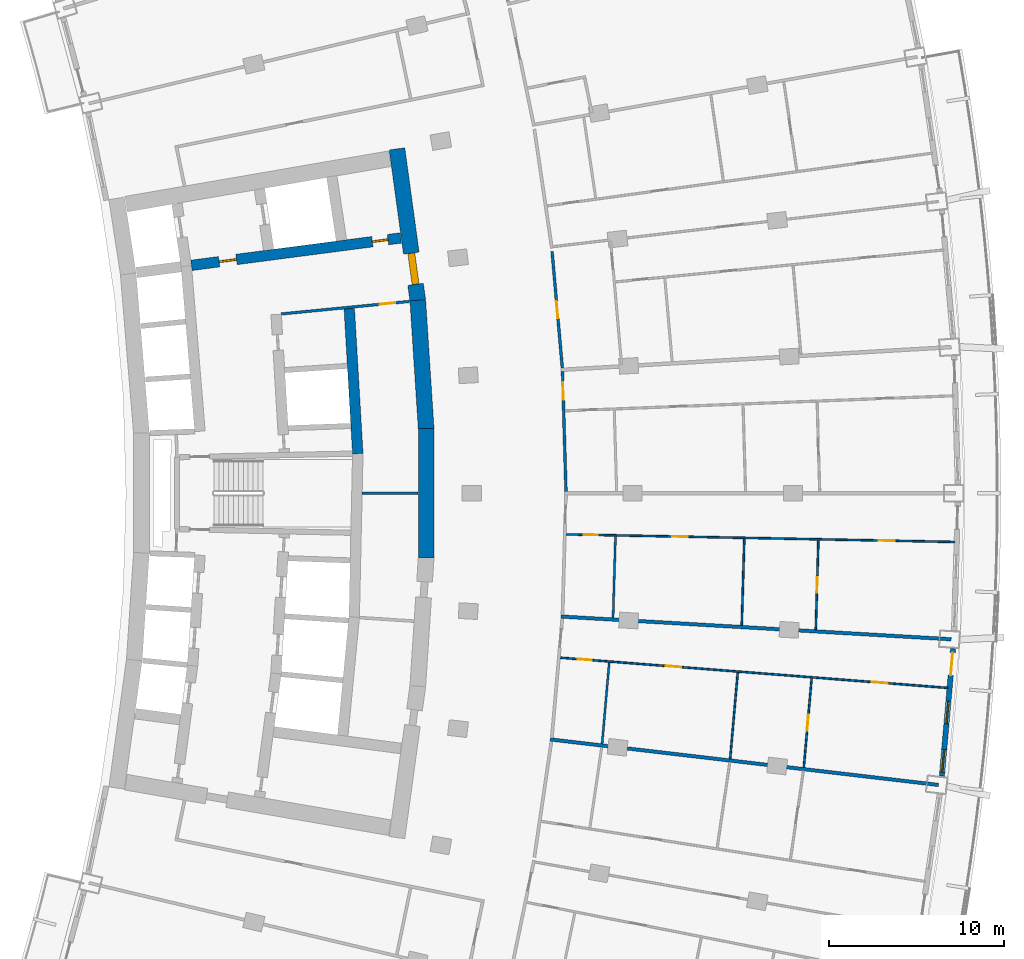
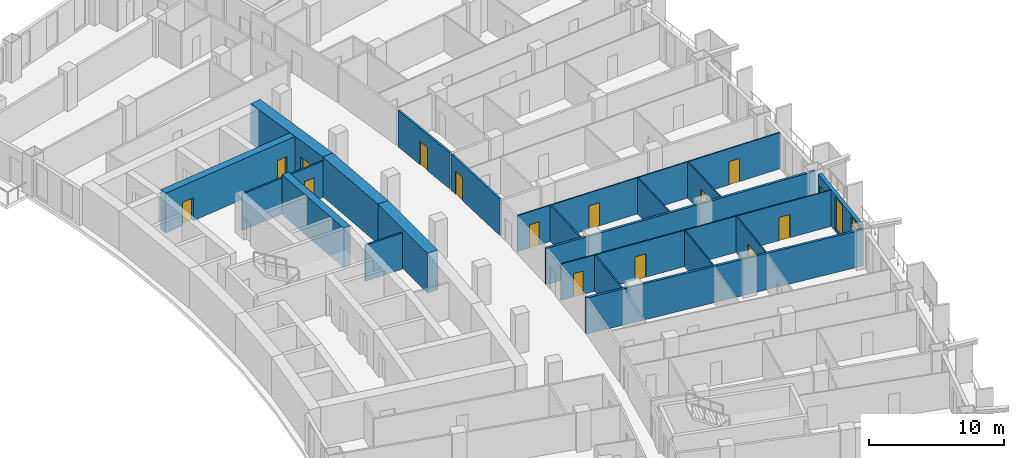
# One storey, part 17 of 25: 20 walls, 15 doors, 2 windows, 17 openings.
"""IFC4 building model written with IfcOpenShell, lengths in metres."""

from ifc_helpers import new_model, si_unit, direction, frame, frame_2d, origin, place, context, subcontext, project, spatial, rectangle, extrude, material, layer, layer_set, type_object, element, fill, save


model = new_model("IFC4")

# Units and contexts
model_context = context("Model", 3, precision=1e-05, world=origin(), true_north=direction((0.0, 1.0)))
body_context = subcontext(model_context, "Body", "Model", "MODEL_VIEW")
ifc_project = project(units=[si_unit("LENGTHUNIT", "METRE"), si_unit("AREAUNIT", "SQUARE_METRE"), si_unit("VOLUMEUNIT", "CUBIC_METRE"), si_unit("PLANEANGLEUNIT", "RADIAN"), si_unit("MASSUNIT", "GRAM", prefix="KILO")], contexts=[model_context])

# Site, building, storey
site_placement = place(None, origin())
site = spatial("IfcSite", under=ifc_project, at=site_placement, CompositionType="ELEMENT")
building_placement = place(site_placement, origin())
building = spatial("IfcBuilding", under=site, at=building_placement, Name="Alderwake Tower", CompositionType="ELEMENT")
storey_placement = place(building_placement, frame((0.0, 0.0, 35.60009765625)))
storey = spatial("IfcBuildingStorey", under=building, at=storey_placement, Name="L07", CompositionType="ELEMENT", Elevation=35.60009765625)

# Wall
ifc_material_1 = material(Name="Gypsum shaft wall system, rated")
ifc_layer_1 = layer(ifc_material_1, 0.14990234375)
ifc_layer_set_1 = layer_set([ifc_layer_1], Name="Core room partition 150")
wall_type_1 = type_object("IfcWallType", Name="Core room partition 150", PredefinedType="PARTITIONING", material=ifc_layer_set_1)
wall_1_placement = place(storey_placement, frame((29.526123046875, 61.0, 0.0), z_axis=(0.0, 0.0, 1.0), x_axis=(1.0, 0.0, 0.0)))
element("IfcWall", 1, at=wall_1_placement, inside=storey, type_object=wall_type_1, Name="CW/L07/PR+0_+128", PredefinedType="PARTITIONING", context=body_context, shape_type="SweptSolid", body=[
    extrude(rectangle(XDim=3.18408203125, YDim=0.14990234375, at=frame_2d((1.592041015625, 0.0))), origin(), (0.0, 0.0, 1.0), 3.27978515625),
])

# Wall, opening, door
wall_2_placement = place(storey_placement, frame((32.233642578125, 71.982177734375, 0.0), z_axis=(0.0, 0.0, 1.0), x_axis=(-0.995245540971, -0.097397706226, 0.0)))
wall_2 = element("IfcWall", 2, at=wall_2_placement, inside=storey, type_object=wall_type_1, Name="CW/L07/PR+102_+86", PredefinedType="PARTITIONING", context=body_context, shape_type="SweptSolid", body=[
    extrude(rectangle(XDim=7.36962890625, YDim=0.14990234375, at=frame_2d((3.684814453125, 0.0))), origin(), (0.0, 0.0, 1.0), 3.27978515625),
])
opening_1_placement = place(wall_2_placement, frame((0.819580078125, 0.0, 0.0)))
opening_1 = element("IfcOpeningElement", 3, at=opening_1_placement, cuts=wall_2, Name="Opening C032", PredefinedType="OPENING", context=body_context, shape_type="SweptSolid", body=[
    extrude(rectangle(XDim=0.89990234375, YDim=2.10009765625, at=frame_2d((0.449951171875, 1.050048828125))), frame((0.0, 0.0849609375, 0.0), z_axis=(0.0, -1.0, 0.0), x_axis=(1.0, 0.0, 0.0)), (0.0, 0.0, 1.0), 0.169921875),
])
ifc_material_2 = material(Name="Painted steel leaf", Category="steel")
door_type_1 = type_object("IfcDoorType", Name="Core room door 900", OperationType="SINGLE_SWING_LEFT", PredefinedType="DOOR", material=ifc_material_2)
door_1_placement = place(opening_1_placement, origin())
door_1 = element("IfcDoor", 4, at=door_1_placement, inside=storey, type_object=door_type_1, Name="Room door", OperationType="SINGLE_SWING_RIGHT", OverallHeight=2.10009765625, OverallWidth=0.89990234375, PredefinedType="DOOR", context=body_context, shape_type="SweptSolid", body=[
    extrude(rectangle(XDim=0.89990234375, YDim=2.10009765625, at=frame_2d((0.449951171875, 1.050048828125))), frame((0.0, 0.02490234375, 0.0), z_axis=(0.0, -1.0, 0.0), x_axis=(1.0, 0.0, 0.0)), (0.0, 0.0, 1.0), 0.050048828125),
])
fill(opening_1, door_1)

# Walls
ifc_material_3 = material(Name="Concrete C70/85", Category="concrete")
ifc_layer_2 = layer(ifc_material_3, 0.89990234375)
ifc_layer_set_2 = layer_set([ifc_layer_2], Name="Core wall outer 900 C70-85")
wall_type_2 = type_object("IfcWallType", Name="Core wall outer 900 C70-85", PredefinedType="SHEAR", material=ifc_layer_set_2)
wall_3_placement = place(storey_placement, frame((33.190185546875, 57.30322265625, 0.0), z_axis=(0.0, 0.0, 1.0), x_axis=(0.0, 1.0, 0.0)))
element("IfcWall", 5, at=wall_3_placement, inside=storey, type_object=wall_type_2, Name="Core wall CW.013", PredefinedType="SHEAR", context=body_context, shape_type="SweptSolid", body=[
    extrude(rectangle(XDim=7.3935546875, YDim=0.89990234375, at=frame_2d((3.69677734375, 0.0))), origin(), (0.0, 0.0, 1.0), 3.599853515625),
])
wall_4_placement = place(storey_placement, frame((33.191162109375, 64.66650390625, 0.0), z_axis=(0.0, 0.0, 1.0), x_axis=(-0.064976219143, 0.997886812693, 0.0)))
element("IfcWall", 6, at=wall_4_placement, inside=storey, type_object=wall_type_2, Name="Core wall CW.010", PredefinedType="SHEAR", context=body_context, shape_type="SweptSolid", body=[
    extrude(rectangle(XDim=7.39453125, YDim=0.89990234375, at=frame_2d((3.697265625, 0.0))), origin(), (0.0, 0.0, 1.0), 3.599853515625),
])

# Wall, opening, door
wall_5_placement = place(storey_placement, frame((31.520263671875, 80.7177734375, 0.0), z_axis=(0.0, 0.0, 1.0), x_axis=(0.135844728876, -0.990730139663, 0.0)))
wall_5 = element("IfcWall", 7, at=wall_5_placement, inside=storey, type_object=wall_type_2, Name="Core wall CW.009", PredefinedType="SHEAR", context=body_context, shape_type="SweptSolid", body=[
    extrude(rectangle(XDim=8.78662109375, YDim=0.89990234375, at=frame_2d((4.393310546875, 0.0))), origin(), (0.0, 0.0, 1.0), 3.599853515625),
])
opening_2_placement = place(wall_5_placement, frame((6.02978515625, 0.0, 0.0)))
opening_2 = element("IfcOpeningElement", 8, at=opening_2_placement, cuts=wall_5, Name="Opening C001", PredefinedType="OPENING", context=body_context, shape_type="SweptSolid", body=[
    extrude(rectangle(XDim=1.800048828125, YDim=2.10009765625, at=frame_2d((0.89990234375, 1.050048828125))), frame((0.0, 0.4599609375, 0.0), z_axis=(0.0, -1.0, 0.0), x_axis=(1.0, 0.0, 0.0)), (0.0, 0.0, 1.0), 0.919921875),
])
ifc_material_4 = material(Name="Steel-framed fire door leaves", Category="steel")
door_type_2 = type_object("IfcDoorType", Name="Core double door 1800 fire-rated", OperationType="DOUBLE_DOOR_SINGLE_SWING", PredefinedType="DOOR", material=ifc_material_4)
door_2_placement = place(opening_2_placement, origin())
door_2 = element("IfcDoor", 9, at=door_2_placement, inside=storey, type_object=door_type_2, Name="Lobby double door", OperationType="DOUBLE_DOOR_SINGLE_SWING", OverallHeight=2.10009765625, OverallWidth=1.800048828125, PredefinedType="DOOR", context=body_context, shape_type="SweptSolid", body=[
    extrude(rectangle(XDim=1.800048828125, YDim=2.10009765625, at=frame_2d((0.89990234375, 1.050048828125))), frame((0.0, 0.199951171875, 0.0), z_axis=(0.0, -1.0, 0.0), x_axis=(1.0, 0.0, 0.0)), (0.0, 0.0, 1.0), 0.39990234375),
])
fill(opening_2, door_2)

# Wall
ifc_material_5 = material(Name="Concrete C70/85", Category="concrete")
ifc_layer_3 = layer(ifc_material_5, 0.60009765625)
ifc_layer_set_3 = layer_set([ifc_layer_3], Name="Core wall spine 600 C70-85")
wall_type_3 = type_object("IfcWallType", Name="Core wall spine 600 C70-85", PredefinedType="SHEAR", material=ifc_layer_set_3)
wall_6_placement = place(storey_placement, frame((29.277099609375, 63.260498046875, 0.0), z_axis=(0.0, 0.0, 1.0), x_axis=(-0.058809712878, 0.99826921102, 0.0)))
element("IfcWall", 10, at=wall_6_placement, inside=storey, type_object=wall_type_3, Name="Core wall CW.002", PredefinedType="SHEAR", context=body_context, shape_type="SweptSolid", body=[
    extrude(rectangle(XDim=8.323486328125, YDim=0.60009765625, at=frame_2d((4.16162109375, 0.0))), origin(), (0.0, 0.0, 1.0), 3.599853515625),
])

# Wall, openings, doors
wall_7_placement = place(storey_placement, frame((31.735595703125, 75.6142578125, 0.0), z_axis=(0.0, 0.0, 1.0), x_axis=(-0.991553829991, -0.129695806526, 0.0)))
wall_7 = element("IfcWall", 11, at=wall_7_placement, inside=storey, type_object=wall_type_3, Name="Core wall CW.052", PredefinedType="SHEAR", context=body_context, shape_type="SweptSolid", body=[
    extrude(rectangle(XDim=12.0869140625, YDim=0.60009765625, at=frame_2d((6.04345703125, 0.0))), origin(), (0.0, 0.0, 1.0), 3.599853515625),
])
opening_3_placement = place(wall_7_placement, frame((9.4873046875, 0.0, 0.0)))
opening_3 = element("IfcOpeningElement", 12, at=opening_3_placement, cuts=wall_7, Name="Opening C002", PredefinedType="OPENING", context=body_context, shape_type="SweptSolid", body=[
    extrude(rectangle(XDim=1.0, YDim=2.10009765625, at=frame_2d((0.5, 1.050048828125))), frame((0.0, 0.31005859375, 0.0), z_axis=(0.0, -1.0, 0.0), x_axis=(1.0, 0.0, 0.0)), (0.0, 0.0, 1.0), 0.6201171875),
])
opening_4_placement = place(wall_7_placement, frame((0.7373046875, 0.0, 0.0)))
opening_4 = element("IfcOpeningElement", 13, at=opening_4_placement, cuts=wall_7, Name="Opening C020", PredefinedType="OPENING", context=body_context, shape_type="SweptSolid", body=[
    extrude(rectangle(XDim=0.89990234375, YDim=2.10009765625, at=frame_2d((0.449951171875, 1.050048828125))), frame((0.0, 0.31005859375, 0.0), z_axis=(0.0, -1.0, 0.0), x_axis=(1.0, 0.0, 0.0)), (0.0, 0.0, 1.0), 0.6201171875),
])
door_3_placement = place(opening_4_placement, origin())
door_3 = element("IfcDoor", 14, at=door_3_placement, inside=storey, type_object=door_type_1, Name="Room door", OperationType="SINGLE_SWING_LEFT", OverallHeight=2.10009765625, OverallWidth=0.89990234375, PredefinedType="DOOR", context=body_context, shape_type="SweptSolid", body=[
    extrude(rectangle(XDim=0.89990234375, YDim=2.10009765625, at=frame_2d((0.449951171875, 1.050048828125))), frame((0.0, 0.050048828125, 0.0), z_axis=(0.0, -1.0, 0.0), x_axis=(1.0, 0.0, 0.0)), (0.0, 0.0, 1.0), 0.10009765625),
])
fill(opening_4, door_3)
ifc_material_6 = material(Name="Steel-framed fire door leaf", Category="steel")
door_type_3 = type_object("IfcDoorType", Name="Firefighting lobby door 1000 fire-rated", OperationType="SINGLE_SWING_LEFT", PredefinedType="DOOR", material=ifc_material_6)
door_4_placement = place(opening_3_placement, origin())
door_4 = element("IfcDoor", 15, at=door_4_placement, inside=storey, type_object=door_type_3, Name="Firefighting lobby door", OperationType="SINGLE_SWING_RIGHT", OverallHeight=2.10009765625, OverallWidth=1.0, PredefinedType="DOOR", context=body_context, shape_type="SweptSolid", body=[
    extrude(rectangle(XDim=1.0, YDim=2.10009765625, at=frame_2d((0.5, 1.050048828125))), frame((0.0, 0.050048828125, 0.0), z_axis=(0.0, -1.0, 0.0), x_axis=(1.0, 0.0, 0.0)), (0.0, 0.0, 1.0), 0.10009765625),
])
fill(opening_3, door_4)

# Wall, opening, door
ifc_material_7 = material(Name="Gypsum board on metal studs, rated")
ifc_layer_4 = layer(ifc_material_7, 0.159912109375)
ifc_layer_set_4 = layer_set([ifc_layer_4], Name="Corridor wall 160")
wall_type_4 = type_object("IfcWallType", Name="Corridor wall 160", PredefinedType="PARTITIONING", material=ifc_layer_set_4)
wall_8_placement = place(storey_placement, frame((40.400390625, 74.84228515625, 0.0), z_axis=(0.0, 0.0, 1.0), x_axis=(0.087437661692, -0.996169993183, 0.0)))
wall_8 = element("IfcWall", 16, at=wall_8_placement, inside=storey, type_object=wall_type_4, Name="WL/L07/W40", PredefinedType="PARTITIONING", context=body_context, shape_type="SweptSolid", body=[
    extrude(rectangle(XDim=6.701171875, YDim=0.159912109375, at=frame_2d((3.3505859375, 0.0))), origin(), (0.0, 0.0, 1.0), 3.27978515625),
])
opening_5_placement = place(wall_8_placement, frame((2.8505859375, 0.0, 0.0)))
opening_5 = element("IfcOpeningElement", 17, at=opening_5_placement, cuts=wall_8, Name="Opening R01-U09.2", PredefinedType="OPENING", context=body_context, shape_type="SweptSolid", body=[
    extrude(rectangle(XDim=1.0, YDim=2.10009765625, at=frame_2d((0.5, 1.050048828125))), frame((0.0, 0.08984375, 0.0), z_axis=(0.0, -1.0, 0.0), x_axis=(1.0, 0.0, 0.0)), (0.0, 0.0, 1.0), 0.179931640625),
])
ifc_material_8 = material(Name="Solid timber leaf in steel frame", Category="steel")
door_type_4 = type_object("IfcDoorType", Name="Flat entrance door 1000 fire-rated", OperationType="SINGLE_SWING_LEFT", PredefinedType="DOOR", material=ifc_material_8)
door_5_placement = place(opening_5_placement, origin())
door_5 = element("IfcDoor", 18, at=door_5_placement, inside=storey, type_object=door_type_4, Name="DR/L07/U09.2", OperationType="SINGLE_SWING_LEFT", OverallHeight=2.10009765625, OverallWidth=1.0, PredefinedType="DOOR", context=body_context, shape_type="SweptSolid", body=[
    extrude(rectangle(XDim=1.0, YDim=2.10009765625, at=frame_2d((0.5, 1.050048828125))), frame((0.0, 0.02490234375, 0.0), z_axis=(0.0, -1.0, 0.0), x_axis=(1.0, 0.0, 0.0)), (0.0, 0.0, 1.0), 0.050048828125),
])
fill(opening_5, door_5)

wall_9_placement = place(storey_placement, frame((40.997802734375, 67.967041015625, 0.0), z_axis=(0.0, 0.0, 1.0), x_axis=(0.028852935833, -0.99958366738, 0.0)))
wall_9 = element("IfcWall", 19, at=wall_9_placement, inside=storey, type_object=wall_type_4, Name="WL/L07/W42", PredefinedType="PARTITIONING", context=body_context, shape_type="SweptSolid", body=[
    extrude(rectangle(XDim=6.870849609375, YDim=0.159912109375, at=frame_2d((3.435546875, 0.0))), origin(), (0.0, 0.0, 1.0), 3.27978515625),
])
opening_6_placement = place(wall_9_placement, frame((0.628662109375, 0.0, 0.0)))
opening_6 = element("IfcOpeningElement", 20, at=opening_6_placement, cuts=wall_9, Name="Opening R01-U08.3", PredefinedType="OPENING", context=body_context, shape_type="SweptSolid", body=[
    extrude(rectangle(XDim=1.0, YDim=2.10009765625, at=frame_2d((0.5, 1.050048828125))), frame((0.0, 0.08984375, 0.0), z_axis=(0.0, -1.0, 0.0), x_axis=(1.0, 0.0, 0.0)), (0.0, 0.0, 1.0), 0.179931640625),
])
door_6_placement = place(opening_6_placement, origin())
door_6 = element("IfcDoor", 21, at=door_6_placement, inside=storey, type_object=door_type_4, Name="DR/L07/U08.3", OperationType="SINGLE_SWING_LEFT", OverallHeight=2.10009765625, OverallWidth=1.0, PredefinedType="DOOR", context=body_context, shape_type="SweptSolid", body=[
    extrude(rectangle(XDim=1.0, YDim=2.10009765625, at=frame_2d((0.5, 1.050048828125))), frame((0.0, 0.02490234375, 0.0), z_axis=(0.0, -1.0, 0.0), x_axis=(1.0, 0.0, 0.0)), (0.0, 0.0, 1.0), 0.050048828125),
])
fill(opening_6, door_6)

# Wall, openings, door, windows
ifc_material_9 = material(Name="Precast concrete C50/60 spandrel panel", Category="concrete")
ifc_layer_5 = layer(ifc_material_9, 0.300048828125)
ifc_layer_set_5 = layer_set([ifc_layer_5], Name="External wall EW1 Precast concrete C50/60 spandrel")
wall_type_5 = type_object("IfcWallType", Name="External wall EW1 Precast concrete C50/60 spandrel", PredefinedType="SOLIDWALL", material=ifc_layer_set_5)
wall_10_placement = place(storey_placement, frame((62.71923828125, 44.801513671875, 0.0), z_axis=(0.0, 0.0, 1.0), x_axis=(0.08740868533, 0.996172536125, 0.0)))
wall_10 = element("IfcWall", 22, at=wall_10_placement, inside=storey, type_object=wall_type_5, Name="External wall 15", PredefinedType="SOLIDWALL", context=body_context, shape_type="SweptSolid", body=[
    extrude(rectangle(XDim=7.3291015625, YDim=0.300048828125, at=frame_2d((3.66455078125, 0.0))), origin(), (0.0, 0.0, 1.0), 3.27978515625),
])
opening_7_placement = place(wall_10_placement, frame((0.226806640625, 0.0, 0.199951171875)))
opening_7 = element("IfcOpeningElement", 23, at=opening_7_placement, cuts=wall_10, Name="Opening W1", PredefinedType="OPENING", context=body_context, shape_type="SweptSolid", body=[
    extrude(rectangle(XDim=1.300048828125, YDim=2.89990234375, at=frame_2d((0.64990234375, 1.449951171875))), frame((0.0, 0.159912109375, 0.0), z_axis=(0.0, -1.0, 0.0), x_axis=(1.0, 0.0, 0.0)), (0.0, 0.0, 1.0), 0.320068359375),
])
opening_8_placement = place(wall_10_placement, frame((3.0146484375, 0.0, 0.199951171875)))
opening_8 = element("IfcOpeningElement", 24, at=opening_8_placement, cuts=wall_10, Name="Opening W1", PredefinedType="OPENING", context=body_context, shape_type="SweptSolid", body=[
    extrude(rectangle(XDim=1.300048828125, YDim=2.89990234375, at=frame_2d((0.64990234375, 1.449951171875))), frame((0.0, 0.159912109375, 0.0), z_axis=(0.0, -1.0, 0.0), x_axis=(1.0, 0.0, 0.0)), (0.0, 0.0, 1.0), 0.320068359375),
])
opening_9_placement = place(wall_10_placement, frame((5.802490234375, 0.0, 0.0)))
opening_9 = element("IfcOpeningElement", 25, at=opening_9_placement, cuts=wall_10, Name="Opening D06", PredefinedType="OPENING", context=body_context, shape_type="SweptSolid", body=[
    extrude(rectangle(XDim=1.300048828125, YDim=2.39990234375, at=frame_2d((0.64990234375, 1.199951171875))), frame((0.0, 0.159912109375, 0.0), z_axis=(0.0, -1.0, 0.0), x_axis=(1.0, 0.0, 0.0)), (0.0, 0.0, 1.0), 0.320068359375),
])
ifc_material_10 = material(Name="Bronze tinted glass in aluminium frame", Category="aluminium")
door_type_5 = type_object("IfcDoorType", Name="Balcony door BD sliding", OperationType="SLIDING_TO_LEFT", PredefinedType="DOOR", material=ifc_material_10)
door_7_placement = place(opening_9_placement, origin())
door_7 = element("IfcDoor", 26, at=door_7_placement, inside=storey, type_object=door_type_5, Name="Door D06", OperationType="SLIDING_TO_LEFT", OverallHeight=2.39990234375, OverallWidth=1.300048828125, PredefinedType="DOOR", context=body_context, shape_type="SweptSolid", body=[
    extrude(rectangle(XDim=1.300048828125, YDim=2.39990234375, at=frame_2d((0.64990234375, 1.199951171875))), frame((0.0, 0.02490234375, 0.0), z_axis=(0.0, -1.0, 0.0), x_axis=(1.0, 0.0, 0.0)), (0.0, 0.0, 1.0), 0.050048828125),
])
fill(opening_9, door_7)
ifc_material_11 = material(Name="Bronze tinted glass in aluminium frame", Category="aluminium")
window_type = type_object("IfcWindowType", Name="Window W1 tall fixed and vent", PartitioningType="DOUBLE_PANEL_VERTICAL", PredefinedType="WINDOW", material=ifc_material_11)
window_1_placement = place(opening_7_placement, origin())
window_1 = element("IfcWindow", 27, at=window_1_placement, inside=storey, type_object=window_type, Name="Window W1 tall fixed and vent", OverallHeight=2.89990234375, OverallWidth=1.300048828125, PartitioningType="DOUBLE_PANEL_VERTICAL", PredefinedType="WINDOW", context=body_context, shape_type="SweptSolid", body=[
    extrude(rectangle(XDim=1.300048828125, YDim=2.89990234375, at=frame_2d((0.64990234375, 1.449951171875))), frame((0.0, 0.030029296875, 0.0), z_axis=(0.0, -1.0, 0.0), x_axis=(1.0, 0.0, 0.0)), (0.0, 0.0, 1.0), 0.06005859375),
])
fill(opening_7, window_1)
window_2_placement = place(opening_8_placement, origin())
window_2 = element("IfcWindow", 28, at=window_2_placement, inside=storey, type_object=window_type, Name="Window W1 tall fixed and vent", OverallHeight=2.89990234375, OverallWidth=1.300048828125, PartitioningType="DOUBLE_PANEL_VERTICAL", PredefinedType="WINDOW", context=body_context, shape_type="SweptSolid", body=[
    extrude(rectangle(XDim=1.300048828125, YDim=2.89990234375, at=frame_2d((0.64990234375, 1.449951171875))), frame((0.0, 0.030029296875, 0.0), z_axis=(0.0, -1.0, 0.0), x_axis=(1.0, 0.0, 0.0)), (0.0, 0.0, 1.0), 0.06005859375),
])
fill(opening_8, window_2)

# Walls
ifc_material_12 = material(Name="Dense block masonry wall", Category="masonry")
ifc_layer_6 = layer(ifc_material_12, 0.199951171875)
ifc_layer_set_6 = layer_set([ifc_layer_6], Name="Party wall 200")
wall_type_6 = type_object("IfcWallType", Name="Party wall 200", PredefinedType="SOLIDWALL", material=ifc_layer_set_6)
wall_11_placement = place(storey_placement, frame((62.52294921875, 44.294921875, 0.0), z_axis=(0.0, 0.0, 1.0), x_axis=(-0.993188531932, 0.116518410732, 0.0)))
element("IfcWall", 29, at=wall_11_placement, inside=storey, type_object=wall_type_6, Name="WL/L07/W08", PredefinedType="SOLIDWALL", context=body_context, shape_type="SweptSolid", body=[
    extrude(rectangle(XDim=22.377685546875, YDim=0.199951171875, at=frame_2d((11.18896484375, 0.0))), origin(), (0.0, 0.0, 1.0), 3.27978515625),
])
wall_12_placement = place(storey_placement, frame((63.2548828125, 52.635009765625, 0.0), z_axis=(0.0, 0.0, 1.0), x_axis=(-0.998301502975, 0.058258983497, 0.0)))
element("IfcWall", 30, at=wall_12_placement, inside=storey, type_object=wall_type_6, Name="WL/L07/W09", PredefinedType="SOLIDWALL", context=body_context, shape_type="SweptSolid", body=[
    extrude(rectangle(XDim=22.3779296875, YDim=0.199951171875, at=frame_2d((11.18896484375, 0.0))), origin(), (0.0, 0.0, 1.0), 3.27978515625),
])

# Wall, openings, doors
ifc_material_13 = material(Name="Gypsum board on metal studs")
ifc_layer_7 = layer(ifc_material_13, 0.10009765625)
ifc_layer_set_7 = layer_set([ifc_layer_7], Name="Unit partition 100")
wall_type_7 = type_object("IfcWallType", Name="Unit partition 100", PredefinedType="PARTITIONING", material=ifc_layer_set_7)
wall_13_placement = place(storey_placement, frame((63.06298828125, 49.85107421875, 0.0), z_axis=(0.0, 0.0, 1.0), x_axis=(-0.996973560129, 0.077741368677, 0.0)))
wall_13 = element("IfcWall", 31, at=wall_13_placement, inside=storey, type_object=wall_type_7, Name="WL/L07/W70", PredefinedType="PARTITIONING", context=body_context, shape_type="SweptSolid", body=[
    extrude(rectangle(XDim=22.262451171875, YDim=0.10009765625, at=frame_2d((11.13134765625, 0.0))), origin(), (0.0, 0.0, 1.0), 3.27978515625),
])
opening_10_placement = place(wall_13_placement, frame((15.3037109375, 0.0, 0.0)))
opening_10 = element("IfcOpeningElement", 32, at=opening_10_placement, cuts=wall_13, Name="Opening R01-U06.1", PredefinedType="OPENING", context=body_context, shape_type="SweptSolid", body=[
    extrude(rectangle(XDim=0.89990234375, YDim=2.10009765625, at=frame_2d((0.449951171875, 1.050048828125))), frame((0.0, 0.06005859375, 0.0), z_axis=(0.0, -1.0, 0.0), x_axis=(1.0, 0.0, 0.0)), (0.0, 0.0, 1.0), 0.1201171875),
])
opening_11_placement = place(wall_13_placement, frame((20.453125, 0.0, 0.0)))
opening_11 = element("IfcOpeningElement", 33, at=opening_11_placement, cuts=wall_13, Name="Opening R01-U06.4", PredefinedType="OPENING", context=body_context, shape_type="SweptSolid", body=[
    extrude(rectangle(XDim=0.800048828125, YDim=2.10009765625, at=frame_2d((0.39990234375, 1.050048828125))), frame((0.0, 0.06005859375, 0.0), z_axis=(0.0, -1.0, 0.0), x_axis=(1.0, 0.0, 0.0)), (0.0, 0.0, 1.0), 0.1201171875),
])
opening_12_placement = place(wall_13_placement, frame((3.4599609375, 0.0, 0.0)))
opening_12 = element("IfcOpeningElement", 34, at=opening_12_placement, cuts=wall_13, Name="Opening R01-U06.5", PredefinedType="OPENING", context=body_context, shape_type="SweptSolid", body=[
    extrude(rectangle(XDim=0.89990234375, YDim=2.10009765625, at=frame_2d((0.449951171875, 1.050048828125))), frame((0.0, 0.06005859375, 0.0), z_axis=(0.0, -1.0, 0.0), x_axis=(1.0, 0.0, 0.0)), (0.0, 0.0, 1.0), 0.1201171875),
])
ifc_material_14 = material(Name="Painted timber leaf", Category="wood")
door_type_6 = type_object("IfcDoorType", Name="Bathroom door 800", OperationType="SINGLE_SWING_LEFT", PredefinedType="DOOR", material=ifc_material_14)
door_8_placement = place(opening_11_placement, origin())
door_8 = element("IfcDoor", 35, at=door_8_placement, inside=storey, type_object=door_type_6, Name="DR/L07/U06.4", OperationType="SINGLE_SWING_LEFT", OverallHeight=2.10009765625, OverallWidth=0.800048828125, PredefinedType="DOOR", context=body_context, shape_type="SweptSolid", body=[
    extrude(rectangle(XDim=0.800048828125, YDim=2.10009765625, at=frame_2d((0.39990234375, 1.050048828125))), frame((0.0, 0.02490234375, 0.0), z_axis=(0.0, -1.0, 0.0), x_axis=(1.0, 0.0, 0.0)), (0.0, 0.0, 1.0), 0.050048828125),
])
fill(opening_11, door_8)
ifc_material_15 = material(Name="Painted timber leaf", Category="wood")
door_type_7 = type_object("IfcDoorType", Name="Room door 900", OperationType="SINGLE_SWING_LEFT", PredefinedType="DOOR", material=ifc_material_15)
door_9_placement = place(opening_10_placement, origin())
door_9 = element("IfcDoor", 36, at=door_9_placement, inside=storey, type_object=door_type_7, Name="DR/L07/U06.1", OperationType="SINGLE_SWING_LEFT", OverallHeight=2.10009765625, OverallWidth=0.89990234375, PredefinedType="DOOR", context=body_context, shape_type="SweptSolid", body=[
    extrude(rectangle(XDim=0.89990234375, YDim=2.10009765625, at=frame_2d((0.449951171875, 1.050048828125))), frame((0.0, 0.02490234375, 0.0), z_axis=(0.0, -1.0, 0.0), x_axis=(1.0, 0.0, 0.0)), (0.0, 0.0, 1.0), 0.050048828125),
])
fill(opening_10, door_9)
door_10_placement = place(opening_12_placement, origin())
door_10 = element("IfcDoor", 37, at=door_10_placement, inside=storey, type_object=door_type_7, Name="DR/L07/U06.5", OperationType="SINGLE_SWING_LEFT", OverallHeight=2.10009765625, OverallWidth=0.89990234375, PredefinedType="DOOR", context=body_context, shape_type="SweptSolid", body=[
    extrude(rectangle(XDim=0.89990234375, YDim=2.10009765625, at=frame_2d((0.449951171875, 1.050048828125))), frame((0.0, 0.02490234375, 0.0), z_axis=(0.0, -1.0, 0.0), x_axis=(1.0, 0.0, 0.0)), (0.0, 0.0, 1.0), 0.050048828125),
])
fill(opening_12, door_10)

wall_14_placement = place(storey_placement, frame((63.468017578125, 58.208984375, 0.0), z_axis=(0.0, 0.0, 1.0), x_axis=(-0.999810526319, 0.019465648238, 0.0)))
wall_14 = element("IfcWall", 38, at=wall_14_placement, inside=storey, type_object=wall_type_7, Name="WL/L07/W72", PredefinedType="PARTITIONING", context=body_context, shape_type="SweptSolid", body=[
    extrude(rectangle(XDim=22.26220703125, YDim=0.10009765625, at=frame_2d((11.131103515625, 0.0))), origin(), (0.0, 0.0, 1.0), 3.27978515625),
])
opening_13_placement = place(wall_14_placement, frame((15.302001953125, 0.0, 0.0)))
opening_13 = element("IfcOpeningElement", 39, at=opening_13_placement, cuts=wall_14, Name="Opening R01-U07.1", PredefinedType="OPENING", context=body_context, shape_type="SweptSolid", body=[
    extrude(rectangle(XDim=0.89990234375, YDim=2.10009765625, at=frame_2d((0.449951171875, 1.050048828125))), frame((0.0, 0.06005859375, 0.0), z_axis=(0.0, -1.0, 0.0), x_axis=(1.0, 0.0, 0.0)), (0.0, 0.0, 1.0), 0.1201171875),
])
opening_14_placement = place(wall_14_placement, frame((20.4521484375, 0.0, 0.0)))
opening_14 = element("IfcOpeningElement", 40, at=opening_14_placement, cuts=wall_14, Name="Opening R01-U07.4", PredefinedType="OPENING", context=body_context, shape_type="SweptSolid", body=[
    extrude(rectangle(XDim=0.800048828125, YDim=2.10009765625, at=frame_2d((0.39990234375, 1.050048828125))), frame((0.0, 0.06005859375, 0.0), z_axis=(0.0, -1.0, 0.0), x_axis=(1.0, 0.0, 0.0)), (0.0, 0.0, 1.0), 0.1201171875),
])
opening_15_placement = place(wall_14_placement, frame((3.458984375, 0.0, 0.0)))
opening_15 = element("IfcOpeningElement", 41, at=opening_15_placement, cuts=wall_14, Name="Opening R01-U07.5", PredefinedType="OPENING", context=body_context, shape_type="SweptSolid", body=[
    extrude(rectangle(XDim=0.89990234375, YDim=2.10009765625, at=frame_2d((0.449951171875, 1.050048828125))), frame((0.0, 0.06005859375, 0.0), z_axis=(0.0, -1.0, 0.0), x_axis=(1.0, 0.0, 0.0)), (0.0, 0.0, 1.0), 0.1201171875),
])
door_11_placement = place(opening_14_placement, origin())
door_11 = element("IfcDoor", 42, at=door_11_placement, inside=storey, type_object=door_type_6, Name="DR/L07/U07.4", OperationType="SINGLE_SWING_LEFT", OverallHeight=2.10009765625, OverallWidth=0.800048828125, PredefinedType="DOOR", context=body_context, shape_type="SweptSolid", body=[
    extrude(rectangle(XDim=0.800048828125, YDim=2.10009765625, at=frame_2d((0.39990234375, 1.050048828125))), frame((0.0, 0.02490234375, 0.0), z_axis=(0.0, -1.0, 0.0), x_axis=(1.0, 0.0, 0.0)), (0.0, 0.0, 1.0), 0.050048828125),
])
fill(opening_14, door_11)
door_12_placement = place(opening_13_placement, origin())
door_12 = element("IfcDoor", 43, at=door_12_placement, inside=storey, type_object=door_type_7, Name="DR/L07/U07.1", OperationType="SINGLE_SWING_LEFT", OverallHeight=2.10009765625, OverallWidth=0.89990234375, PredefinedType="DOOR", context=body_context, shape_type="SweptSolid", body=[
    extrude(rectangle(XDim=0.89990234375, YDim=2.10009765625, at=frame_2d((0.449951171875, 1.050048828125))), frame((0.0, 0.02490234375, 0.0), z_axis=(0.0, -1.0, 0.0), x_axis=(1.0, 0.0, 0.0)), (0.0, 0.0, 1.0), 0.050048828125),
])
fill(opening_13, door_12)
door_13_placement = place(opening_15_placement, origin())
door_13 = element("IfcDoor", 44, at=door_13_placement, inside=storey, type_object=door_type_7, Name="DR/L07/U07.5", OperationType="SINGLE_SWING_LEFT", OverallHeight=2.10009765625, OverallWidth=0.89990234375, PredefinedType="DOOR", context=body_context, shape_type="SweptSolid", body=[
    extrude(rectangle(XDim=0.89990234375, YDim=2.10009765625, at=frame_2d((0.449951171875, 1.050048828125))), frame((0.0, 0.02490234375, 0.0), z_axis=(0.0, -1.0, 0.0), x_axis=(1.0, 0.0, 0.0)), (0.0, 0.0, 1.0), 0.050048828125),
])
fill(opening_15, door_13)

# Walls
wall_15_placement = place(storey_placement, frame((50.597900390625, 45.795654296875, 0.0), z_axis=(0.0, 0.0, 1.0), x_axis=(0.087406882324, 0.996172694327, 0.0)))
element("IfcWall", 45, at=wall_15_placement, inside=storey, type_object=wall_type_7, Name="WL/L07/W80", PredefinedType="PARTITIONING", context=body_context, shape_type="SweptSolid", body=[
    extrude(rectangle(XDim=4.960693359375, YDim=0.10009765625, at=frame_2d((2.48046875, 0.0))), origin(), (0.0, 0.0, 1.0), 3.27978515625),
])
wall_16_placement = place(storey_placement, frame((51.260986328125, 53.43408203125, 0.0), z_axis=(0.0, 0.0, 1.0), x_axis=(0.029312335146, 0.999570301184, 0.0)))
element("IfcWall", 46, at=wall_16_placement, inside=storey, type_object=wall_type_7, Name="WL/L07/W82", PredefinedType="PARTITIONING", context=body_context, shape_type="SweptSolid", body=[
    extrude(rectangle(XDim=4.964111328125, YDim=0.10009765625, at=frame_2d((2.48193359375, 0.0))), origin(), (0.0, 0.0, 1.0), 3.27978515625),
])

# Wall, opening, door
wall_17_placement = place(storey_placement, frame((54.815673828125, 45.30078125, 0.0), z_axis=(0.0, 0.0, 1.0), x_axis=(0.087018058121, 0.996206734348, 0.0)))
wall_17 = element("IfcWall", 47, at=wall_17_placement, inside=storey, type_object=wall_type_7, Name="WL/L07/W88", PredefinedType="PARTITIONING", context=body_context, shape_type="SweptSolid", body=[
    extrude(rectangle(XDim=5.1259765625, YDim=0.10009765625, at=frame_2d((2.56298828125, 0.0))), origin(), (0.0, 0.0, 1.0), 3.27978515625),
])
opening_16_placement = place(wall_17_placement, frame((2.113037109375, 0.0, 0.0)))
opening_16 = element("IfcOpeningElement", 48, at=opening_16_placement, cuts=wall_17, Name="Opening R01-U06.2", PredefinedType="OPENING", context=body_context, shape_type="SweptSolid", body=[
    extrude(rectangle(XDim=0.89990234375, YDim=2.10009765625, at=frame_2d((0.449951171875, 1.050048828125))), frame((0.0, 0.06005859375, 0.0), z_axis=(0.0, -1.0, 0.0), x_axis=(1.0, 0.0, 0.0)), (0.0, 0.0, 1.0), 0.1201171875),
])
door_14_placement = place(opening_16_placement, origin())
door_14 = element("IfcDoor", 49, at=door_14_placement, inside=storey, type_object=door_type_7, Name="DR/L07/U06.2", OperationType="SINGLE_SWING_LEFT", OverallHeight=2.10009765625, OverallWidth=0.89990234375, PredefinedType="DOOR", context=body_context, shape_type="SweptSolid", body=[
    extrude(rectangle(XDim=0.89990234375, YDim=2.10009765625, at=frame_2d((0.449951171875, 1.050048828125))), frame((0.0, 0.02490234375, 0.0), z_axis=(0.0, -1.0, 0.0), x_axis=(1.0, 0.0, 0.0)), (0.0, 0.0, 1.0), 0.050048828125),
])
fill(opening_16, door_14)

wall_18_placement = place(storey_placement, frame((55.5, 53.18798828125, 0.0), z_axis=(0.0, 0.0, 1.0), x_axis=(0.029004373183, 0.999579284667, 0.0)))
wall_18 = element("IfcWall", 50, at=wall_18_placement, inside=storey, type_object=wall_type_7, Name="WL/L07/W89", PredefinedType="PARTITIONING", context=body_context, shape_type="SweptSolid", body=[
    extrude(rectangle(XDim=5.126220703125, YDim=0.10009765625, at=frame_2d((2.56298828125, 0.0))), origin(), (0.0, 0.0, 1.0), 3.27978515625),
])
opening_17_placement = place(wall_18_placement, frame((2.113037109375, 0.0, 0.0)))
opening_17 = element("IfcOpeningElement", 51, at=opening_17_placement, cuts=wall_18, Name="Opening R01-U07.2", PredefinedType="OPENING", context=body_context, shape_type="SweptSolid", body=[
    extrude(rectangle(XDim=0.89990234375, YDim=2.10009765625, at=frame_2d((0.449951171875, 1.050048828125))), frame((0.0, 0.06005859375, 0.0), z_axis=(0.0, -1.0, 0.0), x_axis=(1.0, 0.0, 0.0)), (0.0, 0.0, 1.0), 0.1201171875),
])
door_15_placement = place(opening_17_placement, origin())
door_15 = element("IfcDoor", 52, at=door_15_placement, inside=storey, type_object=door_type_7, Name="DR/L07/U07.2", OperationType="SINGLE_SWING_LEFT", OverallHeight=2.10009765625, OverallWidth=0.89990234375, PredefinedType="DOOR", context=body_context, shape_type="SweptSolid", body=[
    extrude(rectangle(XDim=0.89990234375, YDim=2.10009765625, at=frame_2d((0.449951171875, 1.050048828125))), frame((0.0, 0.02490234375, 0.0), z_axis=(0.0, -1.0, 0.0), x_axis=(1.0, 0.0, 0.0)), (0.0, 0.0, 1.0), 0.050048828125),
])
fill(opening_17, door_15)

# Walls
ifc_material_16 = material(Name="Moisture resistant gypsum board on metal studs")
ifc_layer_8 = layer(ifc_material_16, 0.1201171875)
ifc_layer_set_8 = layer_set([ifc_layer_8], Name="Wet room partition 120")
wall_type_8 = type_object("IfcWallType", Name="Wet room partition 120", PredefinedType="PARTITIONING", material=ifc_layer_set_8)
wall_19_placement = place(storey_placement, frame((43.265625, 46.65380859375, 0.0), z_axis=(0.0, 0.0, 1.0), x_axis=(0.087069112872, 0.996202273428, 0.0)))
element("IfcWall", 53, at=wall_19_placement, inside=storey, type_object=wall_type_8, Name="WL/L07/W59", PredefinedType="PARTITIONING", context=body_context, shape_type="SweptSolid", body=[
    extrude(rectangle(XDim=4.67431640625, YDim=0.1201171875, at=frame_2d((2.337158203125, 0.0))), origin(), (0.0, 0.0, 1.0), 3.27978515625),
])
wall_20_placement = place(storey_placement, frame((43.892822265625, 53.865966796875, 0.0), z_axis=(0.0, 0.0, 1.0), x_axis=(0.029256273894, 0.999571943603, 0.0)))
element("IfcWall", 54, at=wall_20_placement, inside=storey, type_object=wall_type_8, Name="WL/L07/W61", PredefinedType="PARTITIONING", context=body_context, shape_type="SweptSolid", body=[
    extrude(rectangle(XDim=4.673095703125, YDim=0.1201171875, at=frame_2d((2.33642578125, 0.0))), origin(), (0.0, 0.0, 1.0), 3.27978515625),
])

save(model, "model.ifc")
